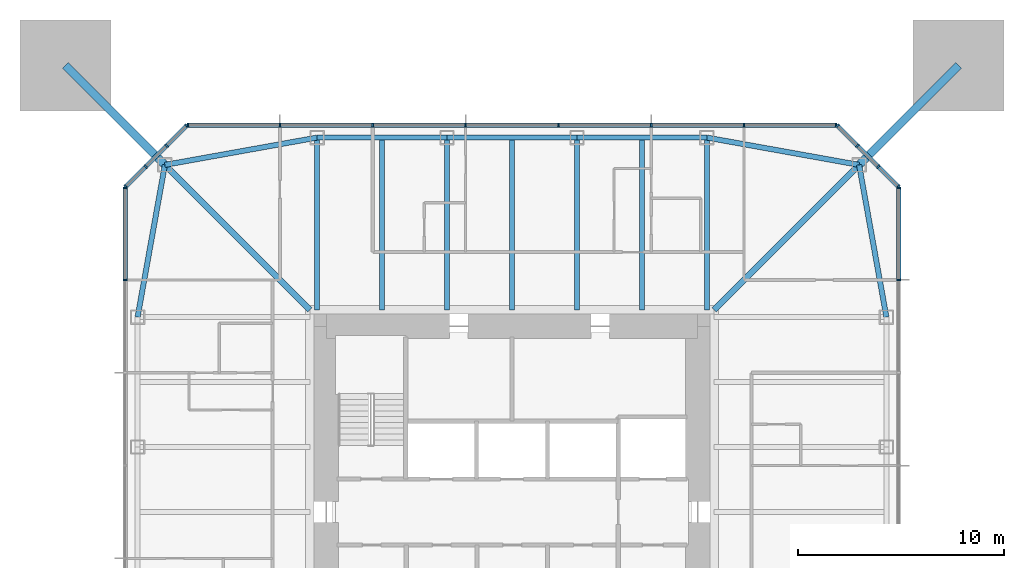
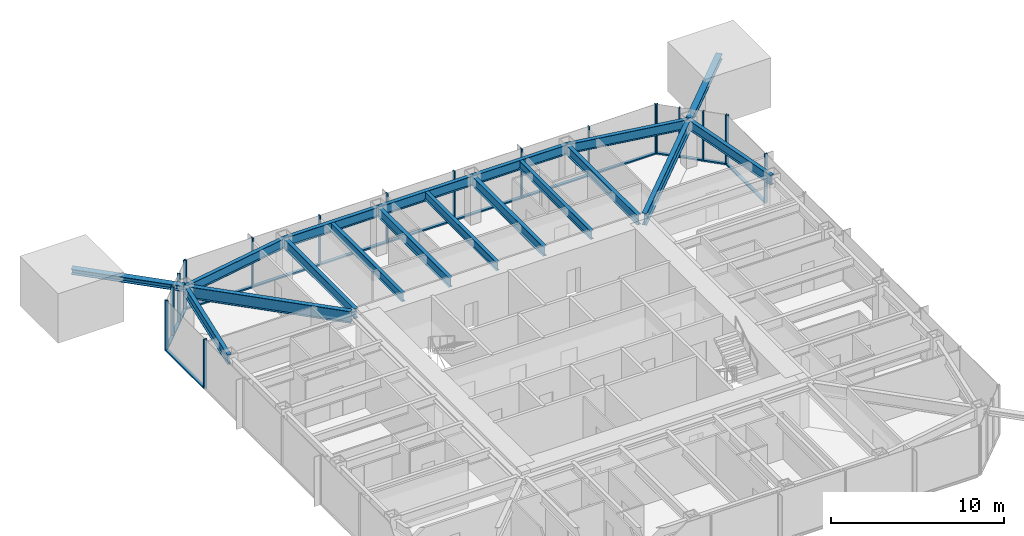
# One storey, part 4 of 11: 37 members, 16 beams, 5 elements without a shape of their own.
"""IFC4 building model written with IfcOpenShell, lengths in metres."""

from ifc_helpers import new_model, si_unit, direction, frame, origin, origin_2d, place, context, subcontext, project, spatial, rectangle, i_section, extrude, material, material_profile, profile_set, type_object, element, aggregate, save


model = new_model("IFC4")

# Units and contexts
model_context = context("Model", 3, precision=1e-05, world=origin(), true_north=direction((0.0, 1.0)))
body_context = subcontext(model_context, "Body", "Model", "MODEL_VIEW")
ifc_project = project(units=[si_unit("LENGTHUNIT", "METRE"), si_unit("AREAUNIT", "SQUARE_METRE"), si_unit("VOLUMEUNIT", "CUBIC_METRE"), si_unit("PLANEANGLEUNIT", "RADIAN"), si_unit("MASSUNIT", "GRAM", prefix="KILO")], contexts=[model_context])

# Site, building, storey
site_placement = place(None, origin())
site = spatial("IfcSite", under=ifc_project, at=site_placement, CompositionType="ELEMENT")
building_placement = place(site_placement, origin())
building = spatial("IfcBuilding", under=site, at=building_placement, Name="Iwan Alto Co-Living Towers", CompositionType="ELEMENT")
storey_placement = place(building_placement, frame((0.0, 0.0, 177.5)))
storey = spatial("IfcBuildingStorey", under=building, at=storey_placement, Name="L48", CompositionType="ELEMENT", Elevation=177.5)

# Curtain wall, members
ifc_material_1 = material(Name="Bronze aluminium unitised frame", Category="aluminium")
curtain_wall_type_1 = type_object("IfcCurtainWallType", Name="CURTAIN WALL CW-A", PredefinedType="NOTDEFINED", material=ifc_material_1)
curtain_wall_1_placement = place(storey_placement, origin())
curtain_wall_1 = element("IfcCurtainWall", 1, at=curtain_wall_1_placement, inside=storey, type_object=curtain_wall_type_1, Name="T1 curtain wall E L48", PredefinedType="NOTDEFINED")
ifc_material_2 = material(Name="Aluminium 6063-T6 bronze anodised", Category="aluminium")
ifc_material_profile_1 = material_profile(ifc_material_2, rectangle(XDim=0.199951171875, YDim=0.080078125, at=origin_2d()), Name="AL 80X200")
ifc_profile_set_1 = profile_set([ifc_material_profile_1], Name="Aluminium 6063-T6 bronze anodised")
member_type_1 = type_object("IfcMemberType", Name="CW-A MULLION 80X200", PredefinedType="MULLION", material=ifc_profile_set_1)
member_1_placement = place(storey_placement, frame((18.75, 11.25, 0.0), z_axis=(0.0, 0.0, 1.0), x_axis=(-1.0, 0.0, 0.0)))
member_1 = element("IfcMember", 2, at=member_1_placement, type_object=member_type_1, Name="CW-A mullion 7", PredefinedType="MULLION", context=body_context, shape_type="SweptSolid", body=[
    extrude(rectangle(XDim=0.199951171875, YDim=0.080078125, at=origin_2d()), origin(), (0.0, 0.0, 1.0), 3.5),
])
member_2_placement = place(storey_placement, frame((18.75, 15.7099609375, 0.0), z_axis=(0.0, 0.0, 1.0), x_axis=(-1.0, 0.0, 0.0)))
member_2 = element("IfcMember", 3, at=member_2_placement, type_object=member_type_1, Name="CW-A mullion 8", PredefinedType="MULLION", context=body_context, shape_type="SweptSolid", body=[
    extrude(rectangle(XDim=0.199951171875, YDim=0.080078125, at=origin_2d()), origin(), (0.0, 0.0, 1.0), 3.5),
])

curtain_wall_2_placement = place(storey_placement, origin())
curtain_wall_2 = element("IfcCurtainWall", 4, at=curtain_wall_2_placement, inside=storey, type_object=curtain_wall_type_1, Name="T1 curtain wall N L48", PredefinedType="NOTDEFINED")
member_3_placement = place(storey_placement, frame((15.7099609375, 18.75, 0.0), z_axis=(0.0, 0.0, 1.0), x_axis=(0.0, -1.0, 0.0)))
member_3 = element("IfcMember", 5, at=member_3_placement, type_object=member_type_1, Name="CW-A mullion 1", PredefinedType="MULLION", context=body_context, shape_type="SweptSolid", body=[
    extrude(rectangle(XDim=0.199951171875, YDim=0.080078125, at=origin_2d()), origin(), (0.0, 0.0, 1.0), 3.5),
])
member_4_placement = place(storey_placement, frame((11.25, 18.75, 0.0), z_axis=(0.0, 0.0, 1.0), x_axis=(0.0, -1.0, 0.0)))
member_4 = element("IfcMember", 6, at=member_4_placement, type_object=member_type_1, Name="CW-A mullion 2", PredefinedType="MULLION", context=body_context, shape_type="SweptSolid", body=[
    extrude(rectangle(XDim=0.199951171875, YDim=0.080078125, at=origin_2d()), origin(), (0.0, 0.0, 1.0), 3.5),
])
member_5_placement = place(storey_placement, frame((6.75, 18.75, 0.0), z_axis=(0.0, 0.0, 1.0), x_axis=(0.0, -1.0, 0.0)))
member_5 = element("IfcMember", 7, at=member_5_placement, type_object=member_type_1, Name="CW-A mullion 3", PredefinedType="MULLION", context=body_context, shape_type="SweptSolid", body=[
    extrude(rectangle(XDim=0.199951171875, YDim=0.080078125, at=origin_2d()), origin(), (0.0, 0.0, 1.0), 3.5),
])
member_6_placement = place(storey_placement, frame((2.25, 18.75, 0.0), z_axis=(0.0, 0.0, 1.0), x_axis=(0.0, -1.0, 0.0)))
member_6 = element("IfcMember", 8, at=member_6_placement, type_object=member_type_1, Name="CW-A mullion 4", PredefinedType="MULLION", context=body_context, shape_type="SweptSolid", body=[
    extrude(rectangle(XDim=0.199951171875, YDim=0.080078125, at=origin_2d()), origin(), (0.0, 0.0, 1.0), 3.5),
])
member_7_placement = place(storey_placement, frame((-2.25, 18.75, 0.0), z_axis=(0.0, 0.0, 1.0), x_axis=(0.0, -1.0, 0.0)))
member_7 = element("IfcMember", 9, at=member_7_placement, type_object=member_type_1, Name="CW-A mullion 5", PredefinedType="MULLION", context=body_context, shape_type="SweptSolid", body=[
    extrude(rectangle(XDim=0.199951171875, YDim=0.080078125, at=origin_2d()), origin(), (0.0, 0.0, 1.0), 3.5),
])
member_8_placement = place(storey_placement, frame((-6.75, 18.75, 0.0), z_axis=(0.0, 0.0, 1.0), x_axis=(0.0, -1.0, 0.0)))
member_8 = element("IfcMember", 10, at=member_8_placement, type_object=member_type_1, Name="CW-A mullion 6", PredefinedType="MULLION", context=body_context, shape_type="SweptSolid", body=[
    extrude(rectangle(XDim=0.199951171875, YDim=0.080078125, at=origin_2d()), origin(), (0.0, 0.0, 1.0), 3.5),
])
member_9_placement = place(storey_placement, frame((-11.25, 18.75, 0.0), z_axis=(0.0, 0.0, 1.0), x_axis=(0.0, -1.0, 0.0)))
member_9 = element("IfcMember", 11, at=member_9_placement, type_object=member_type_1, Name="CW-A mullion 7", PredefinedType="MULLION", context=body_context, shape_type="SweptSolid", body=[
    extrude(rectangle(XDim=0.199951171875, YDim=0.080078125, at=origin_2d()), origin(), (0.0, 0.0, 1.0), 3.5),
])
member_10_placement = place(storey_placement, frame((-15.7099609375, 18.75, 0.0), z_axis=(0.0, 0.0, 1.0), x_axis=(0.0, -1.0, 0.0)))
member_10 = element("IfcMember", 12, at=member_10_placement, type_object=member_type_1, Name="CW-A mullion 8", PredefinedType="MULLION", context=body_context, shape_type="SweptSolid", body=[
    extrude(rectangle(XDim=0.199951171875, YDim=0.080078125, at=origin_2d()), origin(), (0.0, 0.0, 1.0), 3.5),
])

curtain_wall_3_placement = place(storey_placement, origin())
curtain_wall_3 = element("IfcCurtainWall", 13, at=curtain_wall_3_placement, inside=storey, type_object=curtain_wall_type_1, Name="T1 curtain wall W L48", PredefinedType="NOTDEFINED")
member_11_placement = place(storey_placement, frame((-18.75, 15.7099609375, 0.0), z_axis=(0.0, 0.0, 1.0), x_axis=(1.0, 0.0, 0.0)))
member_11 = element("IfcMember", 14, at=member_11_placement, type_object=member_type_1, Name="CW-A mullion 1", PredefinedType="MULLION", context=body_context, shape_type="SweptSolid", body=[
    extrude(rectangle(XDim=0.199951171875, YDim=0.080078125, at=origin_2d()), origin(), (0.0, 0.0, 1.0), 3.5),
])
member_12_placement = place(storey_placement, frame((-18.75, 11.25, 0.0), z_axis=(0.0, 0.0, 1.0), x_axis=(1.0, 0.0, 0.0)))
member_12 = element("IfcMember", 15, at=member_12_placement, type_object=member_type_1, Name="CW-A mullion 2", PredefinedType="MULLION", context=body_context, shape_type="SweptSolid", body=[
    extrude(rectangle(XDim=0.199951171875, YDim=0.080078125, at=origin_2d()), origin(), (0.0, 0.0, 1.0), 3.5),
])

# Member
ifc_material_3 = material(Name="Aluminium 6063-T6 bronze anodised", Category="aluminium")
ifc_material_profile_2 = material_profile(ifc_material_3, rectangle(XDim=0.199951171875, YDim=0.10009765625, at=origin_2d()), Name="AL 200X100")
ifc_profile_set_2 = profile_set([ifc_material_profile_2], Name="Aluminium 6063-T6 bronze anodised")
member_type_2 = type_object("IfcMemberType", Name="CW-A TRANSOM 200X100", PredefinedType="USERDEFINED", material=ifc_profile_set_2)
member_13_placement = place(storey_placement, frame((18.75, 11.2900390625, 0.050048828125), z_axis=(0.0, 1.0, 0.0), x_axis=(-1.0, 0.0, 0.0)))
member_13 = element("IfcMember", 16, at=member_13_placement, type_object=member_type_2, Name="CW-A transom 7.1", ObjectType="TRANSOM", PredefinedType="USERDEFINED", context=body_context, shape_type="SweptSolid", body=[
    extrude(rectangle(XDim=0.199951171875, YDim=0.10009765625, at=origin_2d()), origin(), (0.0, 0.0, 1.0), 4.3798828125),
])

aggregate(curtain_wall_1, [member_1, member_2, member_13])

member_14_placement = place(storey_placement, frame((15.669921875, 18.75, 0.050048828125), z_axis=(-1.0, 0.0, 0.0), x_axis=(0.0, -1.0, 0.0)))
member_14 = element("IfcMember", 17, at=member_14_placement, type_object=member_type_2, Name="CW-A transom 1.1", ObjectType="TRANSOM", PredefinedType="USERDEFINED", context=body_context, shape_type="SweptSolid", body=[
    extrude(rectangle(XDim=0.199951171875, YDim=0.10009765625, at=origin_2d()), origin(), (0.0, 0.0, 1.0), 4.3798828125),
])

member_15_placement = place(storey_placement, frame((11.2099609375, 18.75, 0.050048828125), z_axis=(-1.0, 0.0, 0.0), x_axis=(0.0, -1.0, 0.0)))
member_15 = element("IfcMember", 18, at=member_15_placement, type_object=member_type_2, Name="CW-A transom 2.1", ObjectType="TRANSOM", PredefinedType="USERDEFINED", context=body_context, shape_type="SweptSolid", body=[
    extrude(rectangle(XDim=0.199951171875, YDim=0.10009765625, at=origin_2d()), origin(), (0.0, 0.0, 1.0), 4.419921875),
])

member_16_placement = place(storey_placement, frame((6.7099609375, 18.75, 0.050048828125), z_axis=(-1.0, 0.0, 0.0), x_axis=(0.0, -1.0, 0.0)))
member_16 = element("IfcMember", 19, at=member_16_placement, type_object=member_type_2, Name="CW-A transom 3.1", ObjectType="TRANSOM", PredefinedType="USERDEFINED", context=body_context, shape_type="SweptSolid", body=[
    extrude(rectangle(XDim=0.199951171875, YDim=0.10009765625, at=origin_2d()), origin(), (0.0, 0.0, 1.0), 4.419921875),
])

member_17_placement = place(storey_placement, frame((2.2099609375, 18.75, 0.050048828125), z_axis=(-1.0, 0.0, 0.0), x_axis=(0.0, -1.0, 0.0)))
member_17 = element("IfcMember", 20, at=member_17_placement, type_object=member_type_2, Name="CW-A transom 4.1", ObjectType="TRANSOM", PredefinedType="USERDEFINED", context=body_context, shape_type="SweptSolid", body=[
    extrude(rectangle(XDim=0.199951171875, YDim=0.10009765625, at=origin_2d()), origin(), (0.0, 0.0, 1.0), 4.419921875),
])

member_18_placement = place(storey_placement, frame((-2.2900390625, 18.75, 0.050048828125), z_axis=(-1.0, 0.0, 0.0), x_axis=(0.0, -1.0, 0.0)))
member_18 = element("IfcMember", 21, at=member_18_placement, type_object=member_type_2, Name="CW-A transom 5.1", ObjectType="TRANSOM", PredefinedType="USERDEFINED", context=body_context, shape_type="SweptSolid", body=[
    extrude(rectangle(XDim=0.199951171875, YDim=0.10009765625, at=origin_2d()), origin(), (0.0, 0.0, 1.0), 4.419921875),
])

member_19_placement = place(storey_placement, frame((-6.7900390625, 18.75, 0.050048828125), z_axis=(-1.0, 0.0, 0.0), x_axis=(0.0, -1.0, 0.0)))
member_19 = element("IfcMember", 22, at=member_19_placement, type_object=member_type_2, Name="CW-A transom 6.1", ObjectType="TRANSOM", PredefinedType="USERDEFINED", context=body_context, shape_type="SweptSolid", body=[
    extrude(rectangle(XDim=0.199951171875, YDim=0.10009765625, at=origin_2d()), origin(), (0.0, 0.0, 1.0), 4.419921875),
])

member_20_placement = place(storey_placement, frame((-11.2900390625, 18.75, 0.050048828125), z_axis=(-1.0, 0.0, 0.0), x_axis=(0.0, -1.0, 0.0)))
member_20 = element("IfcMember", 23, at=member_20_placement, type_object=member_type_2, Name="CW-A transom 7.1", ObjectType="TRANSOM", PredefinedType="USERDEFINED", context=body_context, shape_type="SweptSolid", body=[
    extrude(rectangle(XDim=0.199951171875, YDim=0.10009765625, at=origin_2d()), origin(), (0.0, 0.0, 1.0), 4.3798828125),
])

aggregate(curtain_wall_2, [member_3, member_4, member_5, member_6, member_7, member_8, member_9, member_10, member_14, member_15, member_16, member_17, member_18, member_19, member_20])

member_21_placement = place(storey_placement, frame((-18.75, 15.669921875, 0.050048828125), z_axis=(0.0, -1.0, 0.0), x_axis=(1.0, 0.0, 0.0)))
member_21 = element("IfcMember", 24, at=member_21_placement, type_object=member_type_2, Name="CW-A transom 1.1", ObjectType="TRANSOM", PredefinedType="USERDEFINED", context=body_context, shape_type="SweptSolid", body=[
    extrude(rectangle(XDim=0.199951171875, YDim=0.10009765625, at=origin_2d()), origin(), (0.0, 0.0, 1.0), 4.3798828125),
])

aggregate(curtain_wall_3, [member_11, member_12, member_21])

# Curtain wall, members
ifc_material_4 = material(Name="Bronze aluminium unitised frame", Category="aluminium")
curtain_wall_type_2 = type_object("IfcCurtainWallType", Name="CURTAIN WALL CW-B", PredefinedType="NOTDEFINED", material=ifc_material_4)
curtain_wall_4_placement = place(storey_placement, origin())
curtain_wall_4 = element("IfcCurtainWall", 25, at=curtain_wall_4_placement, inside=storey, type_object=curtain_wall_type_2, Name="T1 chamfer curtain wall NE L48", PredefinedType="NOTDEFINED")
ifc_material_5 = material(Name="Aluminium 6063-T6 bronze anodised", Category="aluminium")
ifc_material_profile_3 = material_profile(ifc_material_5, rectangle(XDim=0.199951171875, YDim=0.080078125, at=origin_2d()), Name="AL 80X200")
ifc_profile_set_3 = profile_set([ifc_material_profile_3], Name="Aluminium 6063-T6 bronze anodised")
member_type_3 = type_object("IfcMemberType", Name="CW-B MULLION 80X200", PredefinedType="MULLION", material=ifc_profile_set_3)
member_22_placement = place(storey_placement, frame((18.7216796875, 15.7783203125, 0.0), z_axis=(0.0, 0.0, 1.0), x_axis=(-0.707106781187, -0.707106781187, 0.0)))
member_22 = element("IfcMember", 26, at=member_22_placement, type_object=member_type_3, Name="CW-B mullion 1", PredefinedType="MULLION", context=body_context, shape_type="SweptSolid", body=[
    extrude(rectangle(XDim=0.199951171875, YDim=0.080078125, at=origin_2d()), origin(), (0.0, 0.0, 1.0), 3.5),
])
member_23_placement = place(storey_placement, frame((17.75, 16.75, 0.0), z_axis=(0.0, 0.0, 1.0), x_axis=(-0.707106781187, -0.707106781187, 0.0)))
member_23 = element("IfcMember", 27, at=member_23_placement, type_object=member_type_3, Name="CW-B mullion 2", PredefinedType="MULLION", context=body_context, shape_type="SweptSolid", body=[
    extrude(rectangle(XDim=0.199951171875, YDim=0.080078125, at=origin_2d()), origin(), (0.0, 0.0, 1.0), 3.5),
])
member_24_placement = place(storey_placement, frame((16.75, 17.75, 0.0), z_axis=(0.0, 0.0, 1.0), x_axis=(-0.707106781187, -0.707106781187, 0.0)))
member_24 = element("IfcMember", 28, at=member_24_placement, type_object=member_type_3, Name="CW-B mullion 3", PredefinedType="MULLION", context=body_context, shape_type="SweptSolid", body=[
    extrude(rectangle(XDim=0.199951171875, YDim=0.080078125, at=origin_2d()), origin(), (0.0, 0.0, 1.0), 3.5),
])
member_25_placement = place(storey_placement, frame((15.7783203125, 18.7216796875, 0.0), z_axis=(0.0, 0.0, 1.0), x_axis=(-0.707106781187, -0.707106781187, 0.0)))
member_25 = element("IfcMember", 29, at=member_25_placement, type_object=member_type_3, Name="CW-B mullion 4", PredefinedType="MULLION", context=body_context, shape_type="SweptSolid", body=[
    extrude(rectangle(XDim=0.199951171875, YDim=0.080078125, at=origin_2d()), origin(), (0.0, 0.0, 1.0), 3.5),
])

curtain_wall_5_placement = place(storey_placement, origin())
curtain_wall_5 = element("IfcCurtainWall", 30, at=curtain_wall_5_placement, inside=storey, type_object=curtain_wall_type_2, Name="T1 chamfer curtain wall NW L48", PredefinedType="NOTDEFINED")
member_26_placement = place(storey_placement, frame((-15.7783203125, 18.7216796875, 0.0), z_axis=(0.0, 0.0, 1.0), x_axis=(0.707106781187, -0.707106781187, 0.0)))
member_26 = element("IfcMember", 31, at=member_26_placement, type_object=member_type_3, Name="CW-B mullion 1", PredefinedType="MULLION", context=body_context, shape_type="SweptSolid", body=[
    extrude(rectangle(XDim=0.199951171875, YDim=0.080078125, at=origin_2d()), origin(), (0.0, 0.0, 1.0), 3.5),
])
member_27_placement = place(storey_placement, frame((-16.75, 17.75, 0.0), z_axis=(0.0, 0.0, 1.0), x_axis=(0.707106781187, -0.707106781187, 0.0)))
member_27 = element("IfcMember", 32, at=member_27_placement, type_object=member_type_3, Name="CW-B mullion 2", PredefinedType="MULLION", context=body_context, shape_type="SweptSolid", body=[
    extrude(rectangle(XDim=0.199951171875, YDim=0.080078125, at=origin_2d()), origin(), (0.0, 0.0, 1.0), 3.5),
])
member_28_placement = place(storey_placement, frame((-17.75, 16.75, 0.0), z_axis=(0.0, 0.0, 1.0), x_axis=(0.707106781187, -0.707106781187, 0.0)))
member_28 = element("IfcMember", 33, at=member_28_placement, type_object=member_type_3, Name="CW-B mullion 3", PredefinedType="MULLION", context=body_context, shape_type="SweptSolid", body=[
    extrude(rectangle(XDim=0.199951171875, YDim=0.080078125, at=origin_2d()), origin(), (0.0, 0.0, 1.0), 3.5),
])
member_29_placement = place(storey_placement, frame((-18.7216796875, 15.7783203125, 0.0), z_axis=(0.0, 0.0, 1.0), x_axis=(0.707106781187, -0.707106781187, 0.0)))
member_29 = element("IfcMember", 34, at=member_29_placement, type_object=member_type_3, Name="CW-B mullion 4", PredefinedType="MULLION", context=body_context, shape_type="SweptSolid", body=[
    extrude(rectangle(XDim=0.199951171875, YDim=0.080078125, at=origin_2d()), origin(), (0.0, 0.0, 1.0), 3.5),
])

# Member
ifc_material_6 = material(Name="Aluminium 6063-T6 bronze anodised", Category="aluminium")
ifc_material_profile_4 = material_profile(ifc_material_6, rectangle(XDim=0.199951171875, YDim=0.10009765625, at=origin_2d()), Name="AL 200X100")
ifc_profile_set_4 = profile_set([ifc_material_profile_4], Name="Aluminium 6063-T6 bronze anodised")
member_type_4 = type_object("IfcMemberType", Name="CW-B TRANSOM 200X100", PredefinedType="USERDEFINED", material=ifc_profile_set_4)
member_30_placement = place(storey_placement, frame((18.693359375, 15.806640625, 0.050048828125), z_axis=(-0.707106781187, 0.707106781187, 0.0), x_axis=(-0.707106781187, -0.707106781187, 0.0)))
member_30 = element("IfcMember", 35, at=member_30_placement, type_object=member_type_4, Name="CW-B transom 1.1", ObjectType="TRANSOM", PredefinedType="USERDEFINED", context=body_context, shape_type="SweptSolid", body=[
    extrude(rectangle(XDim=0.199951171875, YDim=0.10009765625, at=origin_2d()), origin(), (0.0, 0.0, 1.0), 1.2939453125),
])

member_31_placement = place(storey_placement, frame((17.7216796875, 16.7783203125, 0.050048828125), z_axis=(-0.707106781187, 0.707106781187, 0.0), x_axis=(-0.707106781187, -0.707106781187, 0.0)))
member_31 = element("IfcMember", 36, at=member_31_placement, type_object=member_type_4, Name="CW-B transom 2.1", ObjectType="TRANSOM", PredefinedType="USERDEFINED", context=body_context, shape_type="SweptSolid", body=[
    extrude(rectangle(XDim=0.199951171875, YDim=0.10009765625, at=origin_2d()), origin(), (0.0, 0.0, 1.0), 1.334228515625),
])

member_32_placement = place(storey_placement, frame((16.7216796875, 17.7783203125, 0.050048828125), z_axis=(-0.707106781187, 0.707106781187, 0.0), x_axis=(-0.707106781187, -0.707106781187, 0.0)))
member_32 = element("IfcMember", 37, at=member_32_placement, type_object=member_type_4, Name="CW-B transom 3.1", ObjectType="TRANSOM", PredefinedType="USERDEFINED", context=body_context, shape_type="SweptSolid", body=[
    extrude(rectangle(XDim=0.199951171875, YDim=0.10009765625, at=origin_2d()), origin(), (0.0, 0.0, 1.0), 1.2939453125),
])

aggregate(curtain_wall_4, [member_22, member_23, member_24, member_25, member_30, member_31, member_32])

member_33_placement = place(storey_placement, frame((-15.806640625, 18.693359375, 0.050048828125), z_axis=(-0.707106781187, -0.707106781187, 0.0), x_axis=(0.707106781187, -0.707106781187, 0.0)))
member_33 = element("IfcMember", 38, at=member_33_placement, type_object=member_type_4, Name="CW-B transom 1.1", ObjectType="TRANSOM", PredefinedType="USERDEFINED", context=body_context, shape_type="SweptSolid", body=[
    extrude(rectangle(XDim=0.199951171875, YDim=0.10009765625, at=origin_2d()), origin(), (0.0, 0.0, 1.0), 1.2939453125),
])

member_34_placement = place(storey_placement, frame((-16.7783203125, 17.7216796875, 0.050048828125), z_axis=(-0.707106781187, -0.707106781187, 0.0), x_axis=(0.707106781187, -0.707106781187, 0.0)))
member_34 = element("IfcMember", 39, at=member_34_placement, type_object=member_type_4, Name="CW-B transom 2.1", ObjectType="TRANSOM", PredefinedType="USERDEFINED", context=body_context, shape_type="SweptSolid", body=[
    extrude(rectangle(XDim=0.199951171875, YDim=0.10009765625, at=origin_2d()), origin(), (0.0, 0.0, 1.0), 1.334228515625),
])

member_35_placement = place(storey_placement, frame((-17.7783203125, 16.7216796875, 0.050048828125), z_axis=(-0.707106781187, -0.707106781187, 0.0), x_axis=(0.707106781187, -0.707106781187, 0.0)))
member_35 = element("IfcMember", 40, at=member_35_placement, type_object=member_type_4, Name="CW-B transom 3.1", ObjectType="TRANSOM", PredefinedType="USERDEFINED", context=body_context, shape_type="SweptSolid", body=[
    extrude(rectangle(XDim=0.199951171875, YDim=0.10009765625, at=origin_2d()), origin(), (0.0, 0.0, 1.0), 1.2939453125),
])

aggregate(curtain_wall_5, [member_26, member_27, member_28, member_29, member_33, member_34, member_35])

# Beams
ifc_material_7 = material(Name="Steel ASTM A992 Gr 50", Category="steel")
ifc_material_profile_5 = material_profile(ifc_material_7, i_section(OverallWidth=0.2919921875, OverallDepth=0.8408203125, WebThickness=0.0146484375, FlangeThickness=0.021728515625, at=origin_2d()), Name="W33X130")
ifc_profile_set_5 = profile_set([ifc_material_profile_5], Name="Steel ASTM A992 Gr 50")
beam_type_1 = type_object("IfcBeamType", Name="T1 CORNER GIRDER W33X130", PredefinedType="BEAM", material=ifc_profile_set_5)
for number, where, z_axis, x_axis, name in (
    (41, (16.82568359375, 16.82568359375, 2.849609375), (-0.707106781187, -0.707106781187, 0.0), (0.707106781187, -0.707106781187, 0.0), "T1 corner girder CNE L49"),
    (42, (-16.82568359375, 16.82568359375, 2.849609375), (0.707106781187, -0.707106781187, 0.0), (0.707106781187, 0.707106781187, 0.0), "T1 corner girder CNW L49"),
):
    element("IfcBeam", number, at=place(storey_placement, frame(where, z_axis=z_axis, x_axis=x_axis)), inside=storey, type_object=beam_type_1, Name=name, PredefinedType="BEAM", context=body_context, shape_type="SweptSolid", body=[
        extrude(i_section(OverallWidth=0.2919921875, OverallDepth=0.8408203125, WebThickness=0.0146484375, FlangeThickness=0.021728515625, at=origin_2d()), origin(), (0.0, 0.0, 1.0), 9.936767578125),
    ])
ifc_material_8 = material(Name="Steel ASTM A992 Gr 50", Category="steel")
ifc_material_profile_6 = material_profile(ifc_material_8, i_section(OverallWidth=0.25390625, OverallDepth=0.683349609375, WebThickness=0.012451171875, FlangeThickness=0.018798828125, at=origin_2d()), Name="W27X94")
ifc_profile_set_6 = profile_set([ifc_material_profile_6], Name="Steel ASTM A992 Gr 50")
beam_type_2 = type_object("IfcBeamType", Name="T1 EDGE BEAM W27X94", PredefinedType="BEAM", material=ifc_profile_set_6)
for number, where, z_axis, x_axis, name in (
    (43, (18.14990234375, 9.449951171875, 2.928466796875), (-0.17671181143, 0.98426263553, 0.0), (-0.98426263553, -0.17671181143, 0.0), "T1 edge beam E4 L49"),
    (44, (16.82568359375, 16.82568359375, 2.928466796875), (-0.98426263553, 0.17671181143, 0.0), (-0.17671181143, -0.98426263553, 0.0), "T1 edge beam CNE L49"),
):
    element("IfcBeam", number, at=place(storey_placement, frame(where, z_axis=z_axis, x_axis=x_axis)), inside=storey, type_object=beam_type_2, Name=name, PredefinedType="BEAM", context=body_context, shape_type="SweptSolid", body=[
        extrude(i_section(OverallWidth=0.25390625, OverallDepth=0.683349609375, WebThickness=0.012451171875, FlangeThickness=0.018798828125, at=origin_2d()), origin(), (0.0, 0.0, 1.0), 7.49365234375),
    ])
beam_1_placement = place(storey_placement, frame((9.449951171875, 18.14990234375, 2.928466796875), z_axis=(-1.0, 0.0, 0.0), x_axis=(0.0, -1.0, 0.0)))
element("IfcBeam", 45, at=beam_1_placement, inside=storey, type_object=beam_type_2, Name="T1 edge beam N1 L49", PredefinedType="BEAM", context=body_context, shape_type="SweptSolid", body=[
    extrude(i_section(OverallWidth=0.25390625, OverallDepth=0.683349609375, WebThickness=0.012451171875, FlangeThickness=0.018798828125, at=origin_2d()), origin(), (0.0, 0.0, 1.0), 6.300048828125),
])
beam_2_placement = place(storey_placement, frame((3.14990234375, 18.14990234375, 2.928466796875), z_axis=(-1.0, 0.0, 0.0), x_axis=(0.0, -1.0, 0.0)))
element("IfcBeam", 46, at=beam_2_placement, inside=storey, type_object=beam_type_2, Name="T1 edge beam N2 L49", PredefinedType="BEAM", context=body_context, shape_type="SweptSolid", body=[
    extrude(i_section(OverallWidth=0.25390625, OverallDepth=0.683349609375, WebThickness=0.012451171875, FlangeThickness=0.018798828125, at=origin_2d()), origin(), (0.0, 0.0, 1.0), 6.2998046875),
])
beam_3_placement = place(storey_placement, frame((-3.14990234375, 18.14990234375, 2.928466796875), z_axis=(-1.0, 0.0, 0.0), x_axis=(0.0, -1.0, 0.0)))
element("IfcBeam", 47, at=beam_3_placement, inside=storey, type_object=beam_type_2, Name="T1 edge beam N3 L49", PredefinedType="BEAM", context=body_context, shape_type="SweptSolid", body=[
    extrude(i_section(OverallWidth=0.25390625, OverallDepth=0.683349609375, WebThickness=0.012451171875, FlangeThickness=0.018798828125, at=origin_2d()), origin(), (0.0, 0.0, 1.0), 6.300048828125),
])
for number, where, z_axis, x_axis, name in (
    (48, (-9.449951171875, 18.14990234375, 2.928466796875), (-0.98426263553, -0.17671181143, 0.0), (0.17671181143, -0.98426263553, 0.0), "T1 edge beam N4 L49"),
    (49, (-16.82568359375, 16.82568359375, 2.928466796875), (-0.17671181143, -0.98426263553, 0.0), (0.98426263553, -0.17671181143, 0.0), "T1 edge beam CNW L49"),
):
    element("IfcBeam", number, at=place(storey_placement, frame(where, z_axis=z_axis, x_axis=x_axis)), inside=storey, type_object=beam_type_2, Name=name, PredefinedType="BEAM", context=body_context, shape_type="SweptSolid", body=[
        extrude(i_section(OverallWidth=0.25390625, OverallDepth=0.683349609375, WebThickness=0.012451171875, FlangeThickness=0.018798828125, at=origin_2d()), origin(), (0.0, 0.0, 1.0), 7.49365234375),
    ])

# Members
ifc_material_9 = material(Name="Steel ASTM A992 Gr 50", Category="steel")
ifc_material_profile_7 = material_profile(ifc_material_9, i_section(OverallWidth=0.393798828125, OverallDepth=0.3759765625, WebThickness=0.017333984375, FlangeThickness=0.027587890625, at=origin_2d()), Name="W14X145")
ifc_profile_set_7 = profile_set([ifc_material_profile_7], Name="Steel ASTM A992 Gr 50")
member_type_5 = type_object("IfcMemberType", Name="T1 MEGA COLUMN FLOOR TIE W14X145", PredefinedType="STRUT", material=ifc_profile_set_7)
for number, where, z_axis, x_axis, name in (
    (50, (21.64990234375, 21.64990234375, 3.08203125), (-0.707106781187, -0.707106781187, 0.0), (0.707106781187, -0.707106781187, 0.0), "T1 mega column floor tie NE L49"),
    (51, (-21.64990234375, 21.64990234375, 3.08203125), (0.707106781187, -0.707106781187, 0.0), (0.707106781187, 0.707106781187, 0.0), "T1 mega column floor tie NW L49"),
):
    element("IfcMember", number, at=place(storey_placement, frame(where, z_axis=z_axis, x_axis=x_axis)), inside=storey, type_object=member_type_5, Name=name, PredefinedType="STRUT", context=body_context, shape_type="SweptSolid", body=[
        extrude(i_section(OverallWidth=0.393798828125, OverallDepth=0.3759765625, WebThickness=0.017333984375, FlangeThickness=0.027587890625, at=origin_2d()), origin(), (0.0, 0.0, 1.0), 6.822509765625),
    ])

# Beams
ifc_material_10 = material(Name="Steel ASTM A992 Gr 50", Category="steel")
ifc_material_profile_8 = material_profile(ifc_material_10, i_section(OverallWidth=0.25390625, OverallDepth=0.683349609375, WebThickness=0.012451171875, FlangeThickness=0.018798828125, at=origin_2d()), Name="W27X94")
ifc_profile_set_8 = profile_set([ifc_material_profile_8], Name="Steel ASTM A992 Gr 50")
beam_type_3 = type_object("IfcBeamType", Name="T1 RADIAL BEAM W27X94", PredefinedType="BEAM", material=ifc_profile_set_8)
for number, where, z_axis, x_axis, name in (
    (52, (9.449951171875, 18.14990234375, 2.928466796875), (0.0, -1.0, 0.0), (1.0, 0.0, 0.0), "T1 radial beam N1 L49"),
    (53, (3.14990234375, 18.14990234375, 2.928466796875), (0.0, -1.0, 0.0), (1.0, 0.0, 0.0), "T1 radial beam N2 L49"),
    (54, (-3.14990234375, 18.14990234375, 2.928466796875), (0.0, -1.0, 0.0), (1.0, 0.0, 0.0), "T1 radial beam N3 L49"),
    (55, (-9.449951171875, 18.14990234375, 2.928466796875), (0.0, -1.0, 0.0), (1.0, 0.0, 0.0), "T1 radial beam N4 L49"),
):
    element("IfcBeam", number, at=place(storey_placement, frame(where, z_axis=z_axis, x_axis=x_axis)), inside=storey, type_object=beam_type_3, Name=name, PredefinedType="BEAM", context=body_context, shape_type="SweptSolid", body=[
        extrude(i_section(OverallWidth=0.25390625, OverallDepth=0.683349609375, WebThickness=0.012451171875, FlangeThickness=0.018798828125, at=origin_2d()), origin(), (0.0, 0.0, 1.0), 8.3505859375),
    ])
ifc_material_11 = material(Name="Steel ASTM A992 Gr 50", Category="steel")
ifc_material_profile_9 = material_profile(ifc_material_11, i_section(OverallWidth=0.228271484375, OverallDepth=0.607177734375, WebThickness=0.01123046875, FlangeThickness=0.017333984375, at=origin_2d()), Name="W24X76")
ifc_profile_set_9 = profile_set([ifc_material_profile_9], Name="Steel ASTM A992 Gr 50")
beam_type_4 = type_object("IfcBeamType", Name="T1 SECONDARY BEAM W24X76", PredefinedType="JOIST", material=ifc_profile_set_9)
for number, where, z_axis, x_axis, name in (
    (56, (6.300048828125, 18.14990234375, 2.966552734375), (0.0, -1.0, 0.0), (1.0, 0.0, 0.0), "T1 secondary beam N1 L49"),
    (57, (0.0, 18.14990234375, 2.966552734375), (0.0, -1.0, 0.0), (1.0, 0.0, 0.0), "T1 secondary beam N2 L49"),
    (58, (-6.300048828125, 18.14990234375, 2.966552734375), (0.0, -1.0, 0.0), (1.0, 0.0, 0.0), "T1 secondary beam N3 L49"),
):
    element("IfcBeam", number, at=place(storey_placement, frame(where, z_axis=z_axis, x_axis=x_axis)), inside=storey, type_object=beam_type_4, Name=name, PredefinedType="JOIST", context=body_context, shape_type="SweptSolid", body=[
        extrude(i_section(OverallWidth=0.228271484375, OverallDepth=0.607177734375, WebThickness=0.01123046875, FlangeThickness=0.017333984375, at=origin_2d()), origin(), (0.0, 0.0, 1.0), 8.3505859375),
    ])

save(model, "model.ifc")
